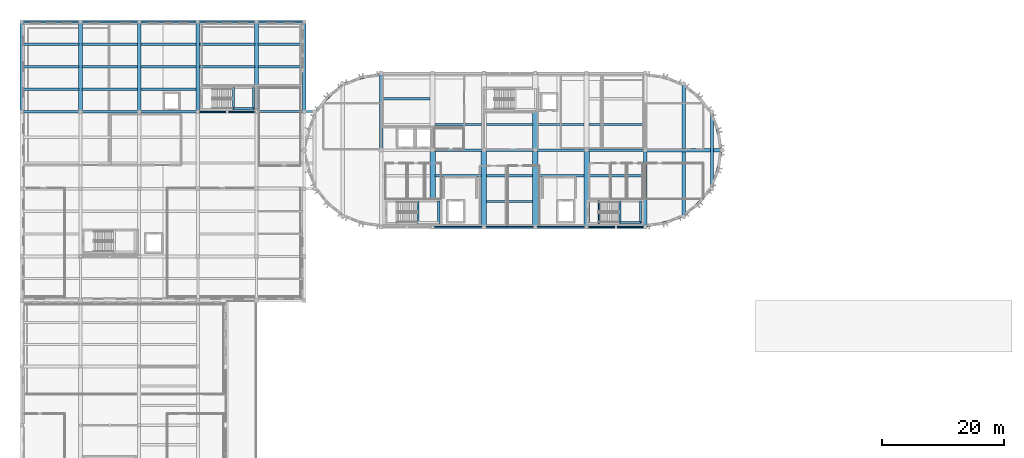
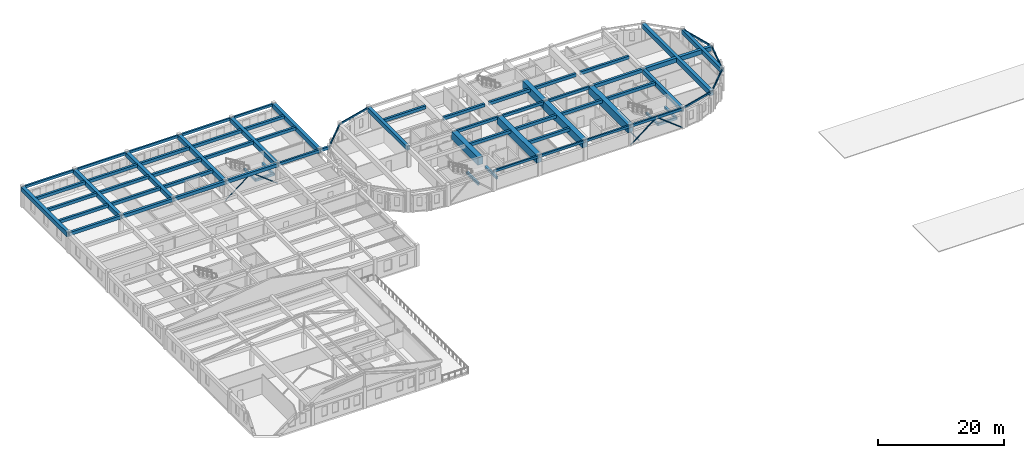
# One storey, part 7 of 31: 72 beams, 5 members.
"""IFC4 building model written with IfcOpenShell, lengths in metres."""

import ifcopenshell
import ifcopenshell.guid

model = None  # the IFC model being written
_history = None  # IfcOwnerHistory: only IFC2X3 demands one
_inside = {}  # id of a spatial element -> (the spatial element, [elements in it])
_under = {}  # id of a project, library or spatial element -> (it, [spatial elements below it])
_declared = {}  # id of a project -> (the project, [libraries it declares])
_typed = {}  # id of a type object -> (the type object, [elements of that type])
_made_of = {}  # id of a material, layer set ... -> (it, [elements and type objects made of it])


def new_model(schema):
    """Start an empty IFC model of exactly this schema.

    Asked for "IFC4X3", IfcOpenShell would pick the latest addendum, in which some entities
    have other attributes; the version numbers below select the first issue.
    IFC2X3 requires an IfcOwnerHistory on every rooted entity: one is made here for all.
    """
    global model, _history
    if schema == "IFC4X3":
        model = ifcopenshell.file(schema_version=(4, 3, 0, 0))
    else:
        model = ifcopenshell.file(schema=schema)
    _inside.clear()
    _under.clear()
    _declared.clear()
    _typed.clear()
    _made_of.clear()
    _history = None
    if model.schema == "IFC2X3":
        org = make("IfcOrganization", Name="unknown")
        user = make(
            "IfcPersonAndOrganization",
            ThePerson=make("IfcPerson", FamilyName="unknown"),
            TheOrganization=org,
        )
        app = make(
            "IfcApplication",
            ApplicationDeveloper=org,
            Version="unknown",
            ApplicationFullName="unknown",
            ApplicationIdentifier="unknown",
        )
        _history = make(
            "IfcOwnerHistory",
            OwningUser=user,
            OwningApplication=app,
            ChangeAction="ADDED",
            CreationDate=0,
        )
    return model


def make(cls, **values):
    """One entity of the class cls with the attributes given. An attribute that is None is left unset."""
    return model.create_entity(
        cls, **{name: value for name, value in values.items() if value is not None}
    )


def rooted(cls, **values):
    """An entity with a GlobalId (a new one), such as an element, a storey or a relation."""
    return make(cls, GlobalId=ifcopenshell.guid.new(), OwnerHistory=_history, **values)


def si_unit(unit_type, name, prefix=None):
    """IfcSIUnit, for example si_unit("LENGTHUNIT", "METRE", prefix="MILLI")."""
    return make("IfcSIUnit", UnitType=unit_type, Prefix=prefix, Name=name)


def assignment(units):
    """IfcUnitAssignment: the units of a project."""
    return None if units is None else make("IfcUnitAssignment", Units=units)


def point(xyz):
    """IfcCartesianPoint."""
    return None if xyz is None else make("IfcCartesianPoint", Coordinates=xyz)


def direction(xyz):
    """IfcDirection."""
    return None if xyz is None else make("IfcDirection", DirectionRatios=xyz)


def frame(location, z_axis=None, x_axis=None):
    """IfcAxis2Placement3D, a coordinate frame: its origin and axes. An axis left out is left unset."""
    return make(
        "IfcAxis2Placement3D",
        Location=point(location),
        Axis=direction(z_axis),
        RefDirection=direction(x_axis),
    )


def frame_2d(location, x_axis=None):
    """IfcAxis2Placement2D, a coordinate frame in the plane: its origin and x axis."""
    return make(
        "IfcAxis2Placement2D", Location=point(location), RefDirection=direction(x_axis)
    )


def origin():
    """The frame at (0, 0, 0) with its axes left unset."""
    return frame((0.0, 0.0, 0.0))


def origin_2d():
    """The frame at (0, 0) in the plane with its x axis left unset."""
    return frame_2d((0.0, 0.0))


def place(relative_to, where):
    """IfcLocalPlacement: puts the frame where relative to a parent placement (None: the world)."""
    return make(
        "IfcLocalPlacement", PlacementRelTo=relative_to, RelativePlacement=where
    )


def context(
    kind, dimensions, precision=None, world=None, true_north=None, identifier=None
):
    """IfcGeometricRepresentationContext, for example the 3D "Model" context."""
    return make(
        "IfcGeometricRepresentationContext",
        ContextIdentifier=identifier,
        ContextType=kind,
        CoordinateSpaceDimension=dimensions,
        Precision=precision,
        WorldCoordinateSystem=world,
        TrueNorth=true_north,
    )


def subcontext(parent, identifier, kind, view, scale=None):
    """IfcGeometricRepresentationSubContext, for example "Body" below "Model"."""
    return make(
        "IfcGeometricRepresentationSubContext",
        ContextIdentifier=identifier,
        ContextType=kind,
        ParentContext=parent,
        TargetScale=scale,
        TargetView=view,
    )


def project(units=None, contexts=None):
    """IfcProject with its units and contexts."""
    return rooted(
        "IfcProject",
        Name="project",
        RepresentationContexts=contexts,
        UnitsInContext=assignment(units),
    )


def spatial(cls, under=None, at=None, **own):
    """A site, building, storey or space (cls), placed at a placement, below another one or the project."""
    s = rooted(cls, ObjectPlacement=at, **own)
    if under is not None:
        _under.setdefault(under.id(), (under, []))[1].append(s)
    return s


def profile(cls, at=None, kind="AREA", **sizes):
    """A parametric profile (cls). Its sizes go by their IFC names, for example OverallWidth=200.0."""
    return make(cls, ProfileType=kind, Position=at, **sizes)


def rectangle(**sizes):
    """IfcRectangleProfileDef."""
    return profile("IfcRectangleProfileDef", **sizes)


def hollow_rectangle(**sizes):
    """IfcRectangleHollowProfileDef."""
    return profile("IfcRectangleHollowProfileDef", **sizes)


def hollow_circle(**sizes):
    """IfcCircleHollowProfileDef."""
    return profile("IfcCircleHollowProfileDef", **sizes)


def extrude(swept, where, along, depth):
    """IfcExtrudedAreaSolid: the profile swept, set in the frame where, extruded along a direction by depth."""
    return make(
        "IfcExtrudedAreaSolid",
        SweptArea=swept,
        Position=where,
        ExtrudedDirection=direction(along),
        Depth=depth,
    )


def shape(context_of_items, identifier, shape_type, items):
    """IfcShapeRepresentation: the items that make up one representation, for example the "Body"."""
    return make(
        "IfcShapeRepresentation",
        ContextOfItems=context_of_items,
        RepresentationIdentifier=identifier,
        RepresentationType=shape_type,
        Items=items,
    )


def material(Name=None, Category=None):
    """IfcMaterial."""
    return make("IfcMaterial", Name=Name, Category=Category)


def material_profile(
    of_material, cross_section, Name=None, Category=None, Priority=None
):
    """IfcMaterialProfile: a cross section and its material."""
    return make(
        "IfcMaterialProfile",
        Name=Name,
        Material=of_material,
        Profile=cross_section,
        Priority=Priority,
        Category=Category,
    )


def profile_set(profiles, Name=None, composite=None):
    """IfcMaterialProfileSet."""
    return make(
        "IfcMaterialProfileSet",
        Name=Name,
        MaterialProfiles=profiles,
        CompositeProfile=composite,
    )


def made_of(thing, what):
    """Note that an element or type object is made of a material, layer set ...; save() writes the relation."""
    if what is not None:
        _made_of.setdefault(what.id(), (what, []))[1].append(thing)
    return thing


def type_object(cls, material=None, **own):
    """A type object (cls), such as IfcWallType, which elements share."""
    return made_of(rooted(cls, **own), material)


def element(
    cls,
    number,
    at=None,
    inside=None,
    cuts=None,
    type_object=None,
    material=None,
    context=None,
    identifier="Body",
    shape_type=None,
    held_by="IfcProductDefinitionShape",
    body=None,
    shapes=None,
    **own,
):
    """One element of the class cls, such as IfcWall. Its Tag is "e" and its number.

    at: its placement. inside: the storey or other place that contains it. cuts: it is an
    opening in that element (IfcRelVoidsElement). A single representation is given by context,
    identifier, shape_type and body (its items); several are given by shapes. held_by: the class
    of the entity that holds the representations. save() writes the other relations.
    """
    e = rooted(cls, Tag="e%d" % number, ObjectPlacement=at, **own)
    if body is not None:
        shapes = [shape(context, identifier, shape_type, body)]
    if shapes is not None:
        e.Representation = make(held_by, Representations=shapes)
    if inside is not None:
        _inside.setdefault(inside.id(), (inside, []))[1].append(e)
    if cuts is not None:
        rooted(
            "IfcRelVoidsElement", RelatingBuildingElement=cuts, RelatedOpeningElement=e
        )
    if type_object is not None:
        _typed.setdefault(type_object.id(), (type_object, []))[1].append(e)
    return made_of(e, material)


def aggregate(whole, parts):
    """IfcRelAggregates: a whole, such as a stair, and the parts it consists of."""
    return rooted("IfcRelAggregates", RelatingObject=whole, RelatedObjects=parts)


def save(model, path):
    """Write the relations noted so far, then the file.

    IfcRelAggregates (storeys below a building ...), IfcRelContainedInSpatialStructure (elements
    in a storey), IfcRelDefinesByType, IfcRelAssociatesMaterial and IfcRelDeclares: one each for
    every whole, place, type object, material and project.
    """
    for whole, parts in _under.values():
        aggregate(whole, parts)
    for where, things in _inside.values():
        rooted(
            "IfcRelContainedInSpatialStructure",
            RelatedElements=things,
            RelatingStructure=where,
        )
    for kind, things in _typed.values():
        rooted("IfcRelDefinesByType", RelatedObjects=things, RelatingType=kind)
    for what, things in _made_of.values():
        rooted("IfcRelAssociatesMaterial", RelatedObjects=things, RelatingMaterial=what)
    for by, libraries in _declared.values():
        rooted("IfcRelDeclares", RelatingContext=by, RelatedDefinitions=libraries)
    model.write(path)


model = new_model("IFC4")

# Units and contexts
model_context = context("Model", 3, precision=1e-05, world=origin(), true_north=direction((0.0, 1.0)))
body_context = subcontext(model_context, "Body", "Model", "MODEL_VIEW")
ifc_project = project(units=[si_unit("LENGTHUNIT", "METRE"), si_unit("AREAUNIT", "SQUARE_METRE"), si_unit("VOLUMEUNIT", "CUBIC_METRE"), si_unit("PLANEANGLEUNIT", "RADIAN"), si_unit("MASSUNIT", "GRAM", prefix="KILO")], contexts=[model_context])

# Site, building, storey
site_placement = place(None, origin())
site = spatial("IfcSite", under=ifc_project, at=site_placement, CompositionType="ELEMENT")
building_placement = place(site_placement, origin())
building = spatial("IfcBuilding", under=site, at=building_placement, Name="Tarnavel Promenade Courthouse", CompositionType="ELEMENT")
storey_placement = place(building_placement, frame((0.0, 0.0, 18.60009765625)))
storey = spatial("IfcBuildingStorey", under=building, at=storey_placement, Name="L05", CompositionType="ELEMENT", Elevation=18.60009765625)

# Beams
ifc_material_1 = material(Name="Concrete C40/50", Category="concrete")
ifc_material_profile_1 = material_profile(ifc_material_1, rectangle(XDim=0.39990234375, YDim=0.60009765625, at=origin_2d()), Name="PT 400x600")
ifc_profile_set_1 = profile_set([ifc_material_profile_1], Name="Concrete C40/50")
beam_type_1 = type_object("IfcBeamType", Name="Concrete C40/50 BM-PT-400x600 (PT 400x600)", PredefinedType="JOIST", material=ifc_profile_set_1)
for number, where, z_axis, x_axis, name in (
    (1, (0.27001953125, 101.77490234375, 3.65478515625), (1.0, 0.0, 0.0), (0.0, 1.0, 0.0), "L05 Secondary Floor Rib 2353"),
    (2, (0.27001953125, 105.449951171875, 3.65478515625), (1.0, 0.0, 0.0), (0.0, 1.0, 0.0), "L05 Secondary Floor Rib 2354"),
    (3, (0.27001953125, 109.125, 3.65478515625), (1.0, 0.0, 0.0), (0.0, 1.0, 0.0), "L05 Secondary Floor Rib 2355"),
):
    element("IfcBeam", number, at=place(storey_placement, frame(where, z_axis=z_axis, x_axis=x_axis)), inside=storey, type_object=beam_type_1, Name=name, PredefinedType="JOIST", context=body_context, shape_type="SweptSolid", body=[
        extrude(rectangle(XDim=0.39990234375, YDim=0.60009765625, at=origin_2d()), origin(), (0.0, 0.0, 1.0), 9.06005859375),
    ])
for number, where, z_axis, x_axis, name in (
    (4, (9.8701171875, 101.77490234375, 3.65478515625), (1.0, 0.0, 0.0), (0.0, 1.0, 0.0), "L05 Secondary Floor Rib 2356"),
    (5, (9.8701171875, 105.449951171875, 3.65478515625), (1.0, 0.0, 0.0), (0.0, 1.0, 0.0), "L05 Secondary Floor Rib 2357"),
    (6, (9.8701171875, 109.125, 3.65478515625), (1.0, 0.0, 0.0), (0.0, 1.0, 0.0), "L05 Secondary Floor Rib 2358"),
):
    element("IfcBeam", number, at=place(storey_placement, frame(where, z_axis=z_axis, x_axis=x_axis)), inside=storey, type_object=beam_type_1, Name=name, PredefinedType="JOIST", context=body_context, shape_type="SweptSolid", body=[
        extrude(rectangle(XDim=0.39990234375, YDim=0.60009765625, at=origin_2d()), origin(), (0.0, 0.0, 1.0), 9.059814453125),
    ])
for number, where, z_axis, x_axis, name in (
    (7, (19.469970703125, 101.77490234375, 3.65478515625), (1.0, 0.0, 0.0), (0.0, 1.0, 0.0), "L05 Secondary Floor Rib 2359"),
    (8, (19.469970703125, 105.449951171875, 3.65478515625), (1.0, 0.0, 0.0), (0.0, 1.0, 0.0), "L05 Secondary Floor Rib 2360"),
    (9, (19.469970703125, 109.125, 3.65478515625), (1.0, 0.0, 0.0), (0.0, 1.0, 0.0), "L05 Secondary Floor Rib 2361"),
):
    element("IfcBeam", number, at=place(storey_placement, frame(where, z_axis=z_axis, x_axis=x_axis)), inside=storey, type_object=beam_type_1, Name=name, PredefinedType="JOIST", context=body_context, shape_type="SweptSolid", body=[
        extrude(rectangle(XDim=0.39990234375, YDim=0.60009765625, at=origin_2d()), origin(), (0.0, 0.0, 1.0), 9.06005859375),
    ])
for number, where, z_axis, x_axis, name in (
    (10, (29.070068359375, 105.449951171875, 3.65478515625), (1.0, 0.0, 0.0), (0.0, 1.0, 0.0), "L05 Secondary Floor Rib 2362"),
    (11, (29.070068359375, 109.125, 3.65478515625), (1.0, 0.0, 0.0), (0.0, 1.0, 0.0), "L05 Secondary Floor Rib 2363"),
):
    element("IfcBeam", number, at=place(storey_placement, frame(where, z_axis=z_axis, x_axis=x_axis)), inside=storey, type_object=beam_type_1, Name=name, PredefinedType="JOIST", context=body_context, shape_type="SweptSolid", body=[
        extrude(rectangle(XDim=0.39990234375, YDim=0.60009765625, at=origin_2d()), origin(), (0.0, 0.0, 1.0), 9.059814453125),
    ])
for number, where, z_axis, x_axis, name in (
    (12, (38.669921875, 105.449951171875, 3.65478515625), (1.0, 0.0, 0.0), (0.0, 1.0, 0.0), "L05 Secondary Floor Rib 2364"),
    (13, (38.669921875, 109.125, 3.65478515625), (1.0, 0.0, 0.0), (0.0, 1.0, 0.0), "L05 Secondary Floor Rib 2365"),
):
    element("IfcBeam", number, at=place(storey_placement, frame(where, z_axis=z_axis, x_axis=x_axis)), inside=storey, type_object=beam_type_1, Name=name, PredefinedType="JOIST", context=body_context, shape_type="SweptSolid", body=[
        extrude(rectangle(XDim=0.39990234375, YDim=0.60009765625, at=origin_2d()), origin(), (0.0, 0.0, 1.0), 7.260009765625),
    ])
beam_1_placement = place(storey_placement, frame((67.6201171875, 87.60009765625, 3.65478515625), z_axis=(1.0, 0.0, 0.0), x_axis=(0.0, 1.0, 0.0)))
element("IfcBeam", 14, at=beam_1_placement, inside=storey, type_object=beam_type_1, Name="L05 Secondary Floor Rib 2367", PredefinedType="JOIST", context=body_context, shape_type="SweptSolid", body=[
    extrude(rectangle(XDim=0.39990234375, YDim=0.60009765625, at=origin_2d()), origin(), (0.0, 0.0, 1.0), 7.559814453125),
])
for number, where, z_axis, x_axis, name in (
    (15, (76.02001953125, 83.39990234375, 3.65478515625), (1.0, 0.0, 0.0), (0.0, 1.0, 0.0), "L05 Secondary Floor Rib 2368"),
    (16, (76.02001953125, 87.60009765625, 3.65478515625), (1.0, 0.0, 0.0), (0.0, 1.0, 0.0), "L05 Secondary Floor Rib 2369"),
    (17, (84.419921875, 87.60009765625, 3.65478515625), (1.0, 0.0, 0.0), (0.0, 1.0, 0.0), "L05 Secondary Floor Rib 2370"),
):
    element("IfcBeam", number, at=place(storey_placement, frame(where, z_axis=z_axis, x_axis=x_axis)), inside=storey, type_object=beam_type_1, Name=name, PredefinedType="JOIST", context=body_context, shape_type="SweptSolid", body=[
        extrude(rectangle(XDim=0.39990234375, YDim=0.60009765625, at=origin_2d()), origin(), (0.0, 0.0, 1.0), 7.56005859375),
    ])
beam_2_placement = place(storey_placement, frame((92.820068359375, 87.60009765625, 3.65478515625), z_axis=(1.0, 0.0, 0.0), x_axis=(0.0, 1.0, 0.0)))
element("IfcBeam", 18, at=beam_2_placement, inside=storey, type_object=beam_type_1, Name="L05 Secondary Floor Rib 2371", PredefinedType="JOIST", context=body_context, shape_type="SweptSolid", body=[
    extrude(rectangle(XDim=0.39990234375, YDim=0.60009765625, at=origin_2d()), origin(), (0.0, 0.0, 1.0), 8.934814453125),
])
beam_3_placement = place(storey_placement, frame((59.044921875, 100.199951171875, 3.65478515625), z_axis=(1.0, 0.0, 0.0), x_axis=(0.0, 1.0, 0.0)))
element("IfcBeam", 19, at=beam_3_placement, inside=storey, type_object=beam_type_1, Name="L05 Secondary Floor Rib 2373", PredefinedType="JOIST", context=body_context, shape_type="SweptSolid", body=[
    extrude(rectangle(XDim=0.39990234375, YDim=0.60009765625, at=origin_2d()), origin(), (0.0, 0.0, 1.0), 7.760009765625),
])
beam_4_placement = place(storey_placement, frame((67.594970703125, 96.0, 3.65478515625), z_axis=(1.0, 0.0, 0.0), x_axis=(0.0, 1.0, 0.0)))
element("IfcBeam", 20, at=beam_4_placement, inside=storey, type_object=beam_type_1, Name="L05 Secondary Floor Rib 2374", PredefinedType="JOIST", context=body_context, shape_type="SweptSolid", body=[
    extrude(rectangle(XDim=0.39990234375, YDim=0.60009765625, at=origin_2d()), origin(), (0.0, 0.0, 1.0), 7.610107421875),
])
for number, where, z_axis, x_axis, name in (
    (21, (75.9951171875, 96.0, 3.65478515625), (1.0, 0.0, 0.0), (0.0, 1.0, 0.0), "L05 Secondary Floor Rib 2375"),
    (22, (84.39501953125, 96.0, 3.65478515625), (1.0, 0.0, 0.0), (0.0, 1.0, 0.0), "L05 Secondary Floor Rib 2376"),
):
    element("IfcBeam", number, at=place(storey_placement, frame(where, z_axis=z_axis, x_axis=x_axis)), inside=storey, type_object=beam_type_1, Name=name, PredefinedType="JOIST", context=body_context, shape_type="SweptSolid", body=[
        extrude(rectangle(XDim=0.39990234375, YDim=0.60009765625, at=origin_2d()), origin(), (0.0, 0.0, 1.0), 7.60986328125),
    ])
beam_5_placement = place(storey_placement, frame((92.794921875, 96.0, 3.65478515625), z_axis=(1.0, 0.0, 0.0), x_axis=(0.0, 1.0, 0.0)))
element("IfcBeam", 23, at=beam_5_placement, inside=storey, type_object=beam_type_1, Name="L05 Secondary Floor Rib 2377", PredefinedType="JOIST", context=body_context, shape_type="SweptSolid", body=[
    extrude(rectangle(XDim=0.39990234375, YDim=0.60009765625, at=origin_2d()), origin(), (0.0, 0.0, 1.0), 8.9599609375),
])
ifc_material_profile_2 = material_profile(ifc_material_1, rectangle(XDim=0.550048828125, YDim=0.85009765625, at=origin_2d()), Name="PT 550x850")
ifc_profile_set_2 = profile_set([ifc_material_profile_2], Name="Concrete C40/50")
beam_type_2 = type_object("IfcBeamType", Name="Concrete C40/50 BM-PT-550x850 (PT 550x850)", PredefinedType="T_BEAM", material=ifc_profile_set_2)
beam_6_placement = place(storey_placement, frame((102.0, 91.800048828125, 3.52978515625), z_axis=(1.0, 0.0, 0.0), x_axis=(0.0, 1.0, 0.0)))
element("IfcBeam", 24, at=beam_6_placement, inside=storey, type_object=beam_type_2, Name="L05 Primary Longitudinal Beam 2259", PredefinedType="T_BEAM", context=body_context, shape_type="SweptSolid", body=[
    extrude(rectangle(XDim=0.550048828125, YDim=0.85009765625, at=origin_2d()), origin(), (0.0, 0.0, 1.0), 12.60009765625),
])
beam_7_placement = place(storey_placement, frame((58.800048828125, 91.800048828125, 3.52978515625), z_axis=(0.0, 1.0, 0.0), x_axis=(-1.0, 0.0, 0.0)))
element("IfcBeam", 25, at=beam_7_placement, inside=storey, type_object=beam_type_2, Name="L05 Transverse Girder 2315", PredefinedType="T_BEAM", context=body_context, shape_type="SweptSolid", body=[
    extrude(rectangle(XDim=0.550048828125, YDim=0.85009765625, at=origin_2d()), origin(), (0.0, 0.0, 1.0), 12.599853515625),
])
for number, where, z_axis, x_axis, name in (
    (26, (102.0, 79.199951171875, 3.52978515625), (0.0, 1.0, 0.0), (-1.0, 0.0, 0.0), "L05 Transverse Girder 2316"),
    (27, (112.911865234375, 85.5, 3.52978515625), (0.0, 1.0, 0.0), (-1.0, 0.0, 0.0), "L05 Transverse Girder 2319"),
):
    element("IfcBeam", number, at=place(storey_placement, frame(where, z_axis=z_axis, x_axis=x_axis)), inside=storey, type_object=beam_type_2, Name=name, PredefinedType="T_BEAM", context=body_context, shape_type="SweptSolid", body=[
        extrude(rectangle(XDim=0.550048828125, YDim=0.85009765625, at=origin_2d()), origin(), (0.0, 0.0, 1.0), 12.60009765625),
    ])
ifc_material_profile_3 = material_profile(ifc_material_1, rectangle(XDim=0.60009765625, YDim=0.89990234375, at=origin_2d()), Name="PT 600x900")
ifc_profile_set_3 = profile_set([ifc_material_profile_3], Name="Concrete C40/50")
beam_type_3 = type_object("IfcBeamType", Name="Concrete C40/50 BM-PT-600x900 (PT 600x900)", PredefinedType="T_BEAM", material=ifc_profile_set_3)
for number, where, z_axis, x_axis, name in (
    (28, (0.0, 98.10009765625, 3.5048828125), (0.0, 1.0, 0.0), (-1.0, 0.0, 0.0), "L05 Transverse Girder 2282"),
    (29, (9.60009765625, 98.10009765625, 3.5048828125), (0.0, 1.0, 0.0), (-1.0, 0.0, 0.0), "L05 Transverse Girder 2288"),
    (30, (19.199951171875, 98.10009765625, 3.5048828125), (0.0, 1.0, 0.0), (-1.0, 0.0, 0.0), "L05 Transverse Girder 2295"),
    (31, (28.800048828125, 98.10009765625, 3.5048828125), (0.0, 1.0, 0.0), (-1.0, 0.0, 0.0), "L05 Transverse Girder 2302"),
    (32, (38.39990234375, 98.10009765625, 3.5048828125), (0.0, 1.0, 0.0), (-1.0, 0.0, 0.0), "L05 Transverse Girder 2306"),
    (33, (46.199951171875, 98.10009765625, 3.5048828125), (0.0, 1.0, 0.0), (-1.0, 0.0, 0.0), "L05 Transverse Girder 2311"),
):
    element("IfcBeam", number, at=place(storey_placement, frame(where, z_axis=z_axis, x_axis=x_axis)), inside=storey, type_object=beam_type_3, Name=name, PredefinedType="T_BEAM", context=body_context, shape_type="SweptSolid", body=[
        extrude(rectangle(XDim=0.60009765625, YDim=0.89990234375, at=origin_2d()), origin(), (0.0, 0.0, 1.0), 14.699951171875),
    ])
ifc_material_profile_4 = material_profile(ifc_material_1, rectangle(XDim=0.60009765625, YDim=0.949951171875, at=origin_2d()), Name="PT 600x950")
ifc_profile_set_4 = profile_set([ifc_material_profile_4], Name="Concrete C40/50")
beam_type_4 = type_object("IfcBeamType", Name="Concrete C40/50 BM-PT-600x950 (PT 600x950)", PredefinedType="T_BEAM", material=ifc_profile_set_4)
beam_8_placement = place(storey_placement, frame((108.300048828125, 80.88818359375, 3.47998046875), z_axis=(0.0, 1.0, 0.0), x_axis=(-1.0, 0.0, 0.0)))
element("IfcBeam", 34, at=beam_8_placement, inside=storey, type_object=beam_type_4, Name="L05 Transverse Girder 2318", PredefinedType="T_BEAM", context=body_context, shape_type="SweptSolid", body=[
    extrude(rectangle(XDim=0.60009765625, YDim=0.949951171875, at=origin_2d()), origin(), (0.0, 0.0, 1.0), 21.82373046875),
])
ifc_material_profile_5 = material_profile(ifc_material_1, rectangle(XDim=0.35009765625, YDim=0.449951171875, at=origin_2d()), Name="RC 350x450")
ifc_profile_set_5 = profile_set([ifc_material_profile_5], Name="Concrete C40/50")
beam_type_5 = type_object("IfcBeamType", Name="Concrete C40/50 BM-RC-350x450 (RC 350x450)", PredefinedType="BEAM", material=ifc_profile_set_5)
for number, where, z_axis, x_axis, name in (
    (35, (64.840087890625, 79.800048828125, 1.669921875), (0.0, 1.0, 0.0), (-1.0, 0.0, 0.0), "L05 ST-01 Mid-Landing Support Beam Near"),
    (36, (68.219970703125, 79.800048828125, 1.669921875), (0.0, 1.0, 0.0), (-1.0, 0.0, 0.0), "L05 ST-01 Mid-Landing Support Beam Far"),
    (37, (97.840087890625, 79.800048828125, 1.669921875), (0.0, 1.0, 0.0), (-1.0, 0.0, 0.0), "L05 ST-02 Mid-Landing Support Beam Near"),
    (38, (101.219970703125, 79.800048828125, 1.669921875), (0.0, 1.0, 0.0), (-1.0, 0.0, 0.0), "L05 ST-02 Mid-Landing Support Beam Far"),
):
    element("IfcBeam", number, at=place(storey_placement, frame(where, z_axis=z_axis, x_axis=x_axis)), inside=storey, type_object=beam_type_5, Name=name, PredefinedType="BEAM", context=body_context, shape_type="SweptSolid", body=[
        extrude(rectangle(XDim=0.35009765625, YDim=0.449951171875, at=origin_2d()), origin(), (0.0, 0.0, 1.0), 3.719970703125),
    ])
beam_9_placement = place(storey_placement, frame((97.840087890625, 79.949951171875, 1.669921875), z_axis=(1.0, 0.0, 0.0), x_axis=(0.0, 1.0, 0.0)))
element("IfcBeam", 39, at=beam_9_placement, inside=storey, type_object=beam_type_5, Name="L05 ST-02 Mid-Landing Edge Trimmer", PredefinedType="BEAM", context=body_context, shape_type="SweptSolid", body=[
    extrude(rectangle(XDim=0.35009765625, YDim=0.449951171875, at=origin_2d()), origin(), (0.0, 0.0, 1.0), 3.3798828125),
])
for number, where, z_axis, x_axis, name in (
    (40, (34.6201171875, 98.419921875, 1.669921875), (0.0, 1.0, 0.0), (-1.0, 0.0, 0.0), "L05 ST-07 Mid-Landing Support Beam Near"),
    (41, (37.919921875, 98.419921875, 1.669921875), (0.0, 1.0, 0.0), (-1.0, 0.0, 0.0), "L05 ST-07 Mid-Landing Support Beam Far"),
):
    element("IfcBeam", number, at=place(storey_placement, frame(where, z_axis=z_axis, x_axis=x_axis)), inside=storey, type_object=beam_type_5, Name=name, PredefinedType="BEAM", context=body_context, shape_type="SweptSolid", body=[
        extrude(rectangle(XDim=0.35009765625, YDim=0.449951171875, at=origin_2d()), origin(), (0.0, 0.0, 1.0), 3.64013671875),
    ])
beam_10_placement = place(storey_placement, frame((34.6201171875, 98.570068359375, 1.669921875), z_axis=(1.0, 0.0, 0.0), x_axis=(0.0, 1.0, 0.0)))
element("IfcBeam", 42, at=beam_10_placement, inside=storey, type_object=beam_type_5, Name="L05 ST-07 Mid-Landing Edge Trimmer", PredefinedType="BEAM", context=body_context, shape_type="SweptSolid", body=[
    extrude(rectangle(XDim=0.35009765625, YDim=0.449951171875, at=origin_2d()), origin(), (0.0, 0.0, 1.0), 3.2998046875),
])
ifc_material_profile_6 = material_profile(ifc_material_1, rectangle(XDim=0.35009765625, YDim=0.550048828125, at=origin_2d()), Name="RC 350x550")
ifc_profile_set_6 = profile_set([ifc_material_profile_6], Name="Concrete C40/50")
beam_type_6 = type_object("IfcBeamType", Name="Concrete C40/50 BM-RC-350x550 (RC 350x550)", PredefinedType="BEAM", material=ifc_profile_set_6)
beam_11_placement = place(storey_placement, frame((67.199951171875, 91.800048828125, 3.679931640625), z_axis=(1.0, 0.0, 0.0), x_axis=(0.0, 1.0, 0.0)))
element("IfcBeam", 43, at=beam_11_placement, inside=storey, type_object=beam_type_6, Name="L05 Primary Longitudinal Beam 2255", PredefinedType="BEAM", context=body_context, shape_type="SweptSolid", body=[
    extrude(rectangle(XDim=0.35009765625, YDim=0.550048828125, at=origin_2d()), origin(), (0.0, 0.0, 1.0), 8.400146484375),
])
for number, where, z_axis, x_axis, name in (
    (44, (75.60009765625, 91.800048828125, 3.679931640625), (1.0, 0.0, 0.0), (0.0, 1.0, 0.0), "L05 Primary Longitudinal Beam 2256"),
    (45, (84.0, 91.800048828125, 3.679931640625), (1.0, 0.0, 0.0), (0.0, 1.0, 0.0), "L05 Primary Longitudinal Beam 2257"),
):
    element("IfcBeam", number, at=place(storey_placement, frame(where, z_axis=z_axis, x_axis=x_axis)), inside=storey, type_object=beam_type_6, Name=name, PredefinedType="BEAM", context=body_context, shape_type="SweptSolid", body=[
        extrude(rectangle(XDim=0.35009765625, YDim=0.550048828125, at=origin_2d()), origin(), (0.0, 0.0, 1.0), 8.39990234375),
    ])
beam_12_placement = place(storey_placement, frame((38.39990234375, 98.10009765625, 3.679931640625), z_axis=(1.0, 0.0, 0.0), x_axis=(0.0, 1.0, 0.0)))
element("IfcBeam", 46, at=beam_12_placement, inside=storey, type_object=beam_type_6, Name="L05 Primary Longitudinal Beam 2264", PredefinedType="BEAM", context=body_context, shape_type="SweptSolid", body=[
    extrude(rectangle(XDim=0.35009765625, YDim=0.550048828125, at=origin_2d()), origin(), (0.0, 0.0, 1.0), 7.800048828125),
])
beam_13_placement = place(storey_placement, frame((46.199951171875, 98.10009765625, 3.679931640625), z_axis=(1.0, 0.0, 0.0), x_axis=(0.0, 1.0, 0.0)))
element("IfcBeam", 47, at=beam_13_placement, inside=storey, type_object=beam_type_6, Name="L05 Primary Longitudinal Beam 2265", PredefinedType="BEAM", context=body_context, shape_type="SweptSolid", body=[
    extrude(rectangle(XDim=0.35009765625, YDim=0.550048828125, at=origin_2d()), origin(), (0.0, 0.0, 1.0), 1.688232421875),
])
ifc_material_profile_7 = material_profile(ifc_material_1, rectangle(XDim=0.449951171875, YDim=0.64990234375, at=origin_2d()), Name="RC 450x650")
ifc_profile_set_7 = profile_set([ifc_material_profile_7], Name="Concrete C40/50")
beam_type_7 = type_object("IfcBeamType", Name="Concrete C40/50 BM-RC-450x650 (RC 450x650)", PredefinedType="T_BEAM", material=ifc_profile_set_7)
for number, where, z_axis, x_axis, name in (
    (48, (92.39990234375, 91.800048828125, 3.6298828125), (1.0, 0.0, 0.0), (0.0, 1.0, 0.0), "L05 Primary Longitudinal Beam 2258"),
    (49, (0.0, 98.10009765625, 3.6298828125), (1.0, 0.0, 0.0), (0.0, 1.0, 0.0), "L05 Primary Longitudinal Beam 2260"),
):
    element("IfcBeam", number, at=place(storey_placement, frame(where, z_axis=z_axis, x_axis=x_axis)), inside=storey, type_object=beam_type_7, Name=name, PredefinedType="T_BEAM", context=body_context, shape_type="SweptSolid", body=[
        extrude(rectangle(XDim=0.449951171875, YDim=0.64990234375, at=origin_2d()), origin(), (0.0, 0.0, 1.0), 9.60009765625),
    ])
beam_14_placement = place(storey_placement, frame((9.60009765625, 98.10009765625, 3.6298828125), z_axis=(1.0, 0.0, 0.0), x_axis=(0.0, 1.0, 0.0)))
element("IfcBeam", 50, at=beam_14_placement, inside=storey, type_object=beam_type_7, Name="L05 Primary Longitudinal Beam 2261", PredefinedType="T_BEAM", context=body_context, shape_type="SweptSolid", body=[
    extrude(rectangle(XDim=0.449951171875, YDim=0.64990234375, at=origin_2d()), origin(), (0.0, 0.0, 1.0), 9.599853515625),
])
beam_15_placement = place(storey_placement, frame((19.199951171875, 98.10009765625, 3.6298828125), z_axis=(1.0, 0.0, 0.0), x_axis=(0.0, 1.0, 0.0)))
element("IfcBeam", 51, at=beam_15_placement, inside=storey, type_object=beam_type_7, Name="L05 Primary Longitudinal Beam 2262", PredefinedType="T_BEAM", context=body_context, shape_type="SweptSolid", body=[
    extrude(rectangle(XDim=0.449951171875, YDim=0.64990234375, at=origin_2d()), origin(), (0.0, 0.0, 1.0), 9.60009765625),
])
beam_16_placement = place(storey_placement, frame((28.800048828125, 98.10009765625, 3.6298828125), z_axis=(1.0, 0.0, 0.0), x_axis=(0.0, 1.0, 0.0)))
element("IfcBeam", 52, at=beam_16_placement, inside=storey, type_object=beam_type_7, Name="L05 Primary Longitudinal Beam 2263", PredefinedType="T_BEAM", context=body_context, shape_type="SweptSolid", body=[
    extrude(rectangle(XDim=0.449951171875, YDim=0.64990234375, at=origin_2d()), origin(), (0.0, 0.0, 1.0), 9.599853515625),
])
ifc_material_profile_8 = material_profile(ifc_material_1, rectangle(XDim=0.300048828125, YDim=0.449951171875, at=origin_2d()), Name="RC 300x450")
ifc_profile_set_8 = profile_set([ifc_material_profile_8], Name="Concrete C40/50")
beam_type_8 = type_object("IfcBeamType", Name="Concrete C40/50 BM-SP-300x450 (RC 300x450)", PredefinedType="SPANDREL", material=ifc_profile_set_8)
beam_17_placement = place(storey_placement, frame((67.199951171875, 79.199951171875, 3.72998046875), z_axis=(1.0, 0.0, 0.0), x_axis=(0.0, 1.0, 0.0)))
element("IfcBeam", 53, at=beam_17_placement, inside=storey, type_object=beam_type_8, Name="L05 Primary Longitudinal Beam 2244", PredefinedType="SPANDREL", context=body_context, shape_type="SweptSolid", body=[
    extrude(rectangle(XDim=0.300048828125, YDim=0.449951171875, at=origin_2d()), origin(), (0.0, 0.0, 1.0), 8.400146484375),
])
for number, where, z_axis, x_axis, name in (
    (54, (75.60009765625, 79.199951171875, 3.72998046875), (1.0, 0.0, 0.0), (0.0, 1.0, 0.0), "L05 Primary Longitudinal Beam 2245"),
    (55, (84.0, 79.199951171875, 3.72998046875), (1.0, 0.0, 0.0), (0.0, 1.0, 0.0), "L05 Primary Longitudinal Beam 2246"),
):
    element("IfcBeam", number, at=place(storey_placement, frame(where, z_axis=z_axis, x_axis=x_axis)), inside=storey, type_object=beam_type_8, Name=name, PredefinedType="SPANDREL", context=body_context, shape_type="SweptSolid", body=[
        extrude(rectangle(XDim=0.300048828125, YDim=0.449951171875, at=origin_2d()), origin(), (0.0, 0.0, 1.0), 8.39990234375),
    ])
beam_18_placement = place(storey_placement, frame((38.39990234375, 112.800048828125, 3.72998046875), z_axis=(1.0, 0.0, 0.0), x_axis=(0.0, 1.0, 0.0)))
element("IfcBeam", 56, at=beam_18_placement, inside=storey, type_object=beam_type_8, Name="L05 Primary Longitudinal Beam 2275", PredefinedType="SPANDREL", context=body_context, shape_type="SweptSolid", body=[
    extrude(rectangle(XDim=0.300048828125, YDim=0.449951171875, at=origin_2d()), origin(), (0.0, 0.0, 1.0), 7.800048828125),
])
ifc_material_profile_9 = material_profile(ifc_material_1, rectangle(XDim=0.300048828125, YDim=0.5, at=origin_2d()), Name="RC 300x500")
ifc_profile_set_9 = profile_set([ifc_material_profile_9], Name="Concrete C40/50")
beam_type_9 = type_object("IfcBeamType", Name="Concrete C40/50 BM-SP-300x500 (RC 300x500)", PredefinedType="SPANDREL", material=ifc_profile_set_9)
for number, where, z_axis, x_axis, name in (
    (57, (92.39990234375, 79.199951171875, 3.704833984375), (1.0, 0.0, 0.0), (0.0, 1.0, 0.0), "L05 Primary Longitudinal Beam 2247"),
    (58, (0.0, 112.800048828125, 3.704833984375), (1.0, 0.0, 0.0), (0.0, 1.0, 0.0), "L05 Primary Longitudinal Beam 2271"),
):
    element("IfcBeam", number, at=place(storey_placement, frame(where, z_axis=z_axis, x_axis=x_axis)), inside=storey, type_object=beam_type_9, Name=name, PredefinedType="SPANDREL", context=body_context, shape_type="SweptSolid", body=[
        extrude(rectangle(XDim=0.300048828125, YDim=0.5, at=origin_2d()), origin(), (0.0, 0.0, 1.0), 9.60009765625),
    ])
beam_19_placement = place(storey_placement, frame((9.60009765625, 112.800048828125, 3.704833984375), z_axis=(1.0, 0.0, 0.0), x_axis=(0.0, 1.0, 0.0)))
element("IfcBeam", 59, at=beam_19_placement, inside=storey, type_object=beam_type_9, Name="L05 Primary Longitudinal Beam 2272", PredefinedType="SPANDREL", context=body_context, shape_type="SweptSolid", body=[
    extrude(rectangle(XDim=0.300048828125, YDim=0.5, at=origin_2d()), origin(), (0.0, 0.0, 1.0), 9.599853515625),
])
beam_20_placement = place(storey_placement, frame((19.199951171875, 112.800048828125, 3.704833984375), z_axis=(1.0, 0.0, 0.0), x_axis=(0.0, 1.0, 0.0)))
element("IfcBeam", 60, at=beam_20_placement, inside=storey, type_object=beam_type_9, Name="L05 Primary Longitudinal Beam 2273", PredefinedType="SPANDREL", context=body_context, shape_type="SweptSolid", body=[
    extrude(rectangle(XDim=0.300048828125, YDim=0.5, at=origin_2d()), origin(), (0.0, 0.0, 1.0), 9.60009765625),
])
beam_21_placement = place(storey_placement, frame((28.800048828125, 112.800048828125, 3.704833984375), z_axis=(1.0, 0.0, 0.0), x_axis=(0.0, 1.0, 0.0)))
element("IfcBeam", 61, at=beam_21_placement, inside=storey, type_object=beam_type_9, Name="L05 Primary Longitudinal Beam 2274", PredefinedType="SPANDREL", context=body_context, shape_type="SweptSolid", body=[
    extrude(rectangle(XDim=0.300048828125, YDim=0.5, at=origin_2d()), origin(), (0.0, 0.0, 1.0), 9.599853515625),
])
ifc_material_profile_10 = material_profile(ifc_material_1, rectangle(XDim=0.85009765625, YDim=1.449951171875, at=origin_2d()), Name="TG 850x1450")
ifc_profile_set_10 = profile_set([ifc_material_profile_10], Name="Concrete C40/50")
beam_type_10 = type_object("IfcBeamType", Name="Concrete C40/50 BM-TG-850x1450 (TG 850x1450)", PredefinedType="T_BEAM", material=ifc_profile_set_10)
beam_22_placement = place(storey_placement, frame((84.0, 91.800048828125, 3.22998046875), z_axis=(0.0, 1.0, 0.0), x_axis=(-1.0, 0.0, 0.0)))
element("IfcBeam", 62, at=beam_22_placement, inside=storey, type_object=beam_type_10, Name="L05 Transfer Girder 2222", PredefinedType="T_BEAM", context=body_context, shape_type="SweptSolid", body=[
    extrude(rectangle(XDim=0.85009765625, YDim=1.449951171875, at=origin_2d()), origin(), (0.0, 0.0, 1.0), 6.64990234375),
])
ifc_material_profile_11 = material_profile(ifc_material_1, rectangle(XDim=0.89990234375, YDim=1.5, at=origin_2d()), Name="TG 900x1500")
ifc_profile_set_11 = profile_set([ifc_material_profile_11], Name="Concrete C40/50")
beam_type_11 = type_object("IfcBeamType", Name="Concrete C40/50 BM-TG-900x1500 (TG 900x1500)", PredefinedType="T_BEAM", material=ifc_profile_set_11)
beam_23_placement = place(storey_placement, frame((67.199951171875, 83.3701171875, 3.204833984375), z_axis=(0.0, 1.0, 0.0), x_axis=(-1.0, 0.0, 0.0)))
element("IfcBeam", 63, at=beam_23_placement, inside=storey, type_object=beam_type_11, Name="L05 Transfer Girder 2217", PredefinedType="T_BEAM", context=body_context, shape_type="SweptSolid", body=[
    extrude(rectangle(XDim=0.89990234375, YDim=1.5, at=origin_2d()), origin(), (0.0, 0.0, 1.0), 8.429931640625),
])
for number, where, z_axis, x_axis, name in (
    (64, (75.60009765625, 79.199951171875, 3.204833984375), (0.0, 1.0, 0.0), (-1.0, 0.0, 0.0), "L05 Transfer Girder 2219"),
    (65, (84.0, 79.199951171875, 3.204833984375), (0.0, 1.0, 0.0), (-1.0, 0.0, 0.0), "L05 Transfer Girder 2221"),
    (66, (92.39990234375, 79.199951171875, 3.204833984375), (0.0, 1.0, 0.0), (-1.0, 0.0, 0.0), "L05 Transfer Girder 2224"),
):
    element("IfcBeam", number, at=place(storey_placement, frame(where, z_axis=z_axis, x_axis=x_axis)), inside=storey, type_object=beam_type_11, Name=name, PredefinedType="T_BEAM", context=body_context, shape_type="SweptSolid", body=[
        extrude(rectangle(XDim=0.89990234375, YDim=1.5, at=origin_2d()), origin(), (0.0, 0.0, 1.0), 12.60009765625),
    ])
ifc_material_2 = material(Name="Steel S355J2", Category="steel")
ifc_material_profile_12 = material_profile(ifc_material_2, hollow_rectangle(XDim=0.199951171875, YDim=0.35009765625, WallThickness=0.012451171875, InnerFilletRadius=0.012451171875, OuterFilletRadius=0.02490234375, at=origin_2d()), Name="RHS 350x200x12.5")
ifc_profile_set_12 = profile_set([ifc_material_profile_12], Name="Steel S355J2")
beam_type_12 = type_object("IfcBeamType", Name="Steel S355J2 BM-ST-RHS350 (RHS 350x200x12.5)", PredefinedType="SPANDREL", material=ifc_profile_set_12)
beam_24_placement = place(storey_placement, frame((58.800048828125, 104.39990234375, 3.77978515625), z_axis=(-0.965929839907, -0.258804065612, 0.0), x_axis=(0.258804065612, -0.965929839907, 0.0)))
element("IfcBeam", 67, at=beam_24_placement, inside=storey, type_object=beam_type_12, Name="L05 Drum Ring Spandrel 2379", PredefinedType="SPANDREL", context=body_context, shape_type="SweptSolid", body=[
    extrude(hollow_rectangle(XDim=0.199951171875, YDim=0.35009765625, WallThickness=0.012451171875, InnerFilletRadius=0.012451171875, OuterFilletRadius=0.02490234375, at=origin_2d()), origin(), (0.0, 0.0, 1.0), 6.522216796875),
])
beam_25_placement = place(storey_placement, frame((52.5, 102.7119140625, 3.77978515625), z_axis=(-0.707106781187, -0.707106781187, 0.0), x_axis=(0.707106781187, -0.707106781187, 0.0)))
element("IfcBeam", 68, at=beam_25_placement, inside=storey, type_object=beam_type_12, Name="L05 Drum Ring Spandrel 2380", PredefinedType="SPANDREL", context=body_context, shape_type="SweptSolid", body=[
    extrude(hollow_rectangle(XDim=0.199951171875, YDim=0.35009765625, WallThickness=0.012451171875, InnerFilletRadius=0.012451171875, OuterFilletRadius=0.02490234375, at=origin_2d()), origin(), (0.0, 0.0, 1.0), 6.52197265625),
])
beam_26_placement = place(storey_placement, frame((102.0, 79.199951171875, 3.77978515625), z_axis=(0.965920481897, 0.258838989821, 0.0), x_axis=(-0.258838989821, 0.965920481897, 0.0)))
element("IfcBeam", 69, at=beam_26_placement, inside=storey, type_object=beam_type_12, Name="L05 Drum Ring Spandrel 2385", PredefinedType="SPANDREL", context=body_context, shape_type="SweptSolid", body=[
    extrude(hollow_rectangle(XDim=0.199951171875, YDim=0.35009765625, WallThickness=0.012451171875, InnerFilletRadius=0.012451171875, OuterFilletRadius=0.02490234375, at=origin_2d()), origin(), (0.0, 0.0, 1.0), 6.522216796875),
])
beam_27_placement = place(storey_placement, frame((108.300048828125, 80.88818359375, 3.77978515625), z_axis=(0.707106781187, 0.707106781187, 0.0), x_axis=(-0.707106781187, 0.707106781187, 0.0)))
element("IfcBeam", 70, at=beam_27_placement, inside=storey, type_object=beam_type_12, Name="L05 Drum Ring Spandrel 2386", PredefinedType="SPANDREL", context=body_context, shape_type="SweptSolid", body=[
    extrude(hollow_rectangle(XDim=0.199951171875, YDim=0.35009765625, WallThickness=0.012451171875, InnerFilletRadius=0.012451171875, OuterFilletRadius=0.02490234375, at=origin_2d()), origin(), (0.0, 0.0, 1.0), 6.52197265625),
])
for number, where, z_axis, x_axis, name in (
    (71, (112.911865234375, 85.5, 3.77978515625), (0.258838989821, 0.965920481897, 0.0), (-0.965920481897, 0.258838989821, 0.0), "L05 Drum Ring Spandrel 2387"),
    (72, (114.60009765625, 91.800048828125, 3.77978515625), (-0.258838989821, 0.965920481897, 0.0), (-0.965920481897, -0.258838989821, 0.0), "L05 Drum Ring Spandrel 2388"),
):
    element("IfcBeam", number, at=place(storey_placement, frame(where, z_axis=z_axis, x_axis=x_axis)), inside=storey, type_object=beam_type_12, Name=name, PredefinedType="SPANDREL", context=body_context, shape_type="SweptSolid", body=[
        extrude(hollow_rectangle(XDim=0.199951171875, YDim=0.35009765625, WallThickness=0.012451171875, InnerFilletRadius=0.012451171875, OuterFilletRadius=0.02490234375, at=origin_2d()), origin(), (0.0, 0.0, 1.0), 6.522216796875),
    ])

# Members
ifc_material_profile_13 = material_profile(ifc_material_2, hollow_circle(Radius=0.084228515625, WallThickness=0.008056640625, at=origin_2d()), Name="CHS 168.3x8")
ifc_profile_set_13 = profile_set([ifc_material_profile_13], Name="Steel S355J2")
member_type_1 = type_object("IfcMemberType", Name="Steel S355J2 MEM-BR-CHS168 (CHS 168.3x8)", PredefinedType="BRACE", material=ifc_profile_set_13)
member_1_placement = place(storey_placement, frame((28.800048828125, 98.10009765625, 0.0), z_axis=(0.791627562594, 0.0, 0.611003929727), x_axis=(0.0, 1.0, 0.0)))
element("IfcMember", 73, at=member_1_placement, inside=storey, type_object=member_type_1, Name="L05 V2 Chevron Brace A 040", PredefinedType="BRACE", context=body_context, shape_type="SweptSolid", body=[
    extrude(hollow_circle(Radius=0.084228515625, WallThickness=0.008056640625, at=origin_2d()), origin(), (0.0, 0.0, 1.0), 6.0634765625),
])
member_2_placement = place(storey_placement, frame((38.39990234375, 98.10009765625, 0.0), z_axis=(-0.791612530341, 0.0, 0.611023405286), x_axis=(0.0, -1.0, 0.0)))
element("IfcMember", 74, at=member_2_placement, inside=storey, type_object=member_type_1, Name="L05 V2 Chevron Brace B 040", PredefinedType="BRACE", context=body_context, shape_type="SweptSolid", body=[
    extrude(hollow_circle(Radius=0.084228515625, WallThickness=0.008056640625, at=origin_2d()), origin(), (0.0, 0.0, 1.0), 6.063232421875),
])
ifc_material_profile_14 = material_profile(ifc_material_2, hollow_rectangle(XDim=0.179931640625, YDim=0.179931640625, WallThickness=0.010009765625, InnerFilletRadius=0.010009765625, OuterFilletRadius=0.02001953125, at=origin_2d()), Name="SHS 180x180x10")
ifc_profile_set_14 = profile_set([ifc_material_profile_14], Name="Steel S355J2")
member_type_2 = type_object("IfcMemberType", Name="Steel S355J2 MEM-BR-SHS180 (SHS 180x180x10)", PredefinedType="BRACE", material=ifc_profile_set_14)
for number, where, z_axis, x_axis, name in (
    (75, (92.39990234375, 79.199951171875, 0.0), (0.791627562594, 0.0, 0.611003929727), (0.0, 1.0, 0.0), "L05 V5 Chevron Brace A 016"),
    (76, (102.0, 79.199951171875, 0.0), (-0.791627562594, 0.0, 0.611003929727), (0.0, -1.0, 0.0), "L05 V5 Chevron Brace B 016"),
):
    element("IfcMember", number, at=place(storey_placement, frame(where, z_axis=z_axis, x_axis=x_axis)), inside=storey, type_object=member_type_2, Name=name, PredefinedType="BRACE", context=body_context, shape_type="SweptSolid", body=[
        extrude(hollow_rectangle(XDim=0.179931640625, YDim=0.179931640625, WallThickness=0.010009765625, InnerFilletRadius=0.010009765625, OuterFilletRadius=0.02001953125, at=origin_2d()), origin(), (0.0, 0.0, 1.0), 6.0634765625),
    ])
ifc_material_profile_15 = material_profile(ifc_material_2, hollow_rectangle(XDim=0.14990234375, YDim=0.25, WallThickness=0.010009765625, InnerFilletRadius=0.010009765625, OuterFilletRadius=0.02001953125, at=origin_2d()), Name="RHS 250x150x10")
ifc_profile_set_15 = profile_set([ifc_material_profile_15], Name="Steel S355J2")
member_type_3 = type_object("IfcMemberType", Name="Steel S355J2 Stair Stringer MEM-STR-250 (RHS 250x150x10)", PredefinedType="STRINGER", material=ifc_profile_set_15)
member_3_placement = place(storey_placement, frame((94.360107421875, 79.800048828125, -0.18017578125), z_axis=(0.0, 1.0, 0.0), x_axis=(-1.0, 0.0, 0.0)))
element("IfcMember", 77, at=member_3_placement, inside=storey, type_object=member_type_3, Name="L05 ST-02 Stair Header Stringer", PredefinedType="STRINGER", context=body_context, shape_type="SweptSolid", body=[
    extrude(hollow_rectangle(XDim=0.14990234375, YDim=0.25, WallThickness=0.010009765625, InnerFilletRadius=0.010009765625, OuterFilletRadius=0.02001953125, at=origin_2d()), origin(), (0.0, 0.0, 1.0), 3.719970703125),
])

save(model, "model.ifc")
